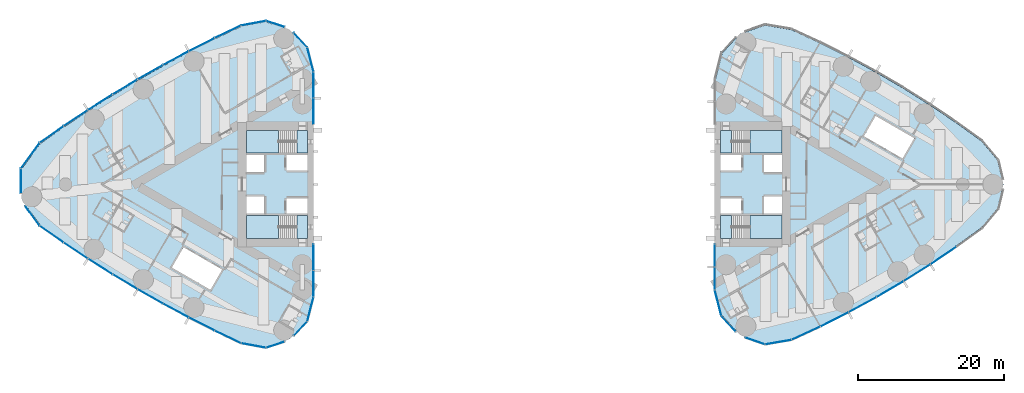
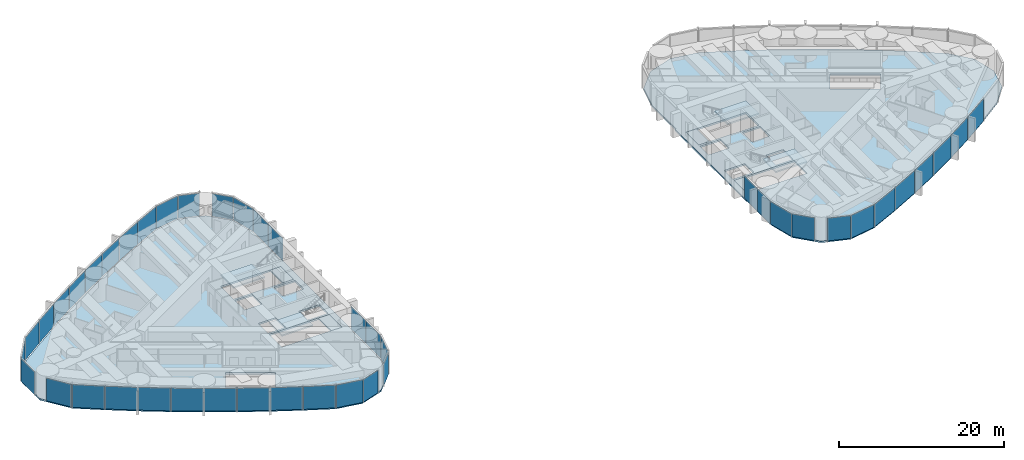
# One storey, part 10 of 18: 43 plates, 10 slabs, 10 elements without a shape of their own.
"""IFC4 building model written with IfcOpenShell, lengths in metres."""

from ifc_helpers import new_model, si_unit, direction, frame, origin, origin_2d, place, context, subcontext, project, spatial, polyline, rectangle, outline, extrude, material, layer, layer_set, type_object, element, aggregate, save


model = new_model("IFC4")

# Units and contexts
model_context = context("Model", 3, precision=1e-05, world=origin(), true_north=direction((0.0, 1.0)))
body_context = subcontext(model_context, "Body", "Model", "MODEL_VIEW")
ifc_project = project(units=[si_unit("LENGTHUNIT", "METRE"), si_unit("AREAUNIT", "SQUARE_METRE"), si_unit("VOLUMEUNIT", "CUBIC_METRE"), si_unit("PLANEANGLEUNIT", "RADIAN"), si_unit("MASSUNIT", "GRAM", prefix="KILO")], contexts=[model_context])

# Site, building, storey
site_placement = place(None, origin())
site = spatial("IfcSite", under=ifc_project, at=site_placement, CompositionType="ELEMENT")
building_placement = place(site_placement, origin())
building = spatial("IfcBuilding", under=site, at=building_placement, Name="Lancet Gate Hotel", CompositionType="ELEMENT")
storey_placement = place(building_placement, frame((0.0, 0.0, 166.800048828125)))
storey = spatial("IfcBuildingStorey", under=building, at=storey_placement, Name="L44", CompositionType="ELEMENT", Elevation=166.800048828125)

# Slabs
ifc_material_1 = material(Name="Concrete C50/60", Category="concrete")
ifc_layer_1 = layer(ifc_material_1, 0.25)
ifc_layer_set_1 = layer_set([ifc_layer_1], Name="Floor slab 250")
slab_type_1 = type_object("IfcSlabType", Name="Floor slab 250", PredefinedType="FLOOR", material=ifc_layer_set_1)
slab_1_placement = place(storey_placement, frame((0.0, 0.0, -0.25)))
element("IfcSlab", 1, at=slab_1_placement, inside=storey, type_object=slab_type_1, Name="T1 L44 floor slab", PredefinedType="FLOOR", context=body_context, shape_type="SweptSolid", body=[
    extrude(outline(polyline([(-27.5, 8.60009765625), (-27.6201171875, 8.60009765625), (-27.6201171875, 15.408203125), (-28.46923828125, 18.7265625), (-30.797607421875, 21.217529296875), (-34.0361328125, 22.283935546875), (-37.403564453125, 21.660400390625), (-40.996826171875, 19.9453125), (-44.561767578125, 18.139404296875), (-48.0830078125, 16.250244140625), (-51.558837890625, 14.27880859375), (-54.987548828125, 12.22607421875), (-58.366943359375, 10.09326171875), (-61.695068359375, 7.881591796875), (-64.955322265625, 5.602783203125), (-67.49560546875, 2.138427734375), (-67.49560546875, -2.138427734375), (-64.955322265625, -5.602783203125), (-61.695068359375, -7.881591796875), (-58.366943359375, -10.09326171875), (-54.987548828125, -12.22607421875), (-51.558837890625, -14.27880859375), (-48.0830078125, -16.250244140625), (-44.561767578125, -18.139404296875), (-40.996826171875, -19.9453125), (-37.403564453125, -21.660400390625), (-34.0361328125, -22.283935546875), (-30.797607421875, -21.217529296875), (-28.46923828125, -18.7265625), (-27.6201171875, -15.408203125), (-27.6201171875, -8.60009765625), (-27.5, -8.60009765625), (-27.5, -8.199951171875), (-27.5, 8.199951171875), (-27.5, 8.60009765625)]), holes=[polyline([(-36.699951171875, 7.39990234375), (-36.699951171875, 4.300048828125), (-28.300048828125, 4.300048828125), (-28.300048828125, 7.39990234375), (-36.699951171875, 7.39990234375)]), polyline([(-28.300048828125, 4.0), (-31.199951171875, 4.0), (-31.199951171875, 1.89990234375), (-28.300048828125, 1.89990234375), (-28.300048828125, 4.0)]), polyline([(-34.25, 4.0), (-36.699951171875, 4.0), (-36.699951171875, 1.64990234375), (-34.25, 1.64990234375), (-34.25, 4.0)]), polyline([(-36.699951171875, -1.64990234375), (-36.699951171875, -4.0), (-34.25, -4.0), (-34.25, -1.64990234375), (-36.699951171875, -1.64990234375)]), polyline([(-28.300048828125, -1.89990234375), (-31.199951171875, -1.89990234375), (-31.199951171875, -4.0), (-28.300048828125, -4.0), (-28.300048828125, -1.89990234375)]), polyline([(-28.300048828125, -4.300048828125), (-36.699951171875, -4.300048828125), (-36.699951171875, -7.39990234375), (-28.300048828125, -7.39990234375), (-28.300048828125, -4.300048828125)]), polyline([(-45.319091796875, -8.631103515625), (-46.9189453125, -11.402099609375), (-41.635986328125, -14.451904296875), (-40.035888671875, -11.680908203125), (-45.319091796875, -8.631103515625)])]), origin(), (0.0, 0.0, 1.0), 0.25),
])
slab_2_placement = place(storey_placement, frame((0.0, 0.0, -0.25)))
element("IfcSlab", 2, at=slab_2_placement, inside=storey, type_object=slab_type_1, Name="T2 L44 floor slab", PredefinedType="FLOOR", context=body_context, shape_type="SweptSolid", body=[
    extrude(outline(polyline([(27.5, -8.60009765625), (27.6201171875, -8.60009765625), (27.6201171875, -14.450439453125), (28.517822265625, -17.9853515625), (30.98291015625, -20.65185546875), (34.421875, -21.819091796875), (38.01513671875, -21.201171875), (41.9296875, -19.383056640625), (45.796875, -17.435302734375), (49.6005859375, -15.36572265625), (53.336669921875, -13.1767578125), (57.00146484375, -10.87060546875), (60.591552734375, -8.44921875), (64.092041015625, -5.9228515625), (66.283447265625, -3.307373046875), (67.06640625, 0.0), (66.283447265625, 3.307373046875), (64.092041015625, 5.9228515625), (60.591552734375, 8.44921875), (57.00146484375, 10.87060546875), (53.336669921875, 13.1767578125), (49.6005859375, 15.36572265625), (45.796875, 17.435302734375), (41.9296875, 19.383056640625), (38.01513671875, 21.201171875), (34.421875, 21.819091796875), (30.98291015625, 20.65185546875), (28.517822265625, 17.9853515625), (27.6201171875, 14.450439453125), (27.6201171875, 8.60009765625), (27.5, 8.60009765625), (27.5, 8.199951171875), (27.5, -8.199951171875), (27.5, -8.60009765625)]), holes=[polyline([(36.699951171875, -7.39990234375), (36.699951171875, -4.300048828125), (28.300048828125, -4.300048828125), (28.300048828125, -7.39990234375), (36.699951171875, -7.39990234375)]), polyline([(28.300048828125, -4.0), (31.199951171875, -4.0), (31.199951171875, -1.89990234375), (28.300048828125, -1.89990234375), (28.300048828125, -4.0)]), polyline([(34.25, -4.0), (36.699951171875, -4.0), (36.699951171875, -1.64990234375), (34.25, -1.64990234375), (34.25, -4.0)]), polyline([(36.699951171875, 1.64990234375), (36.699951171875, 4.0), (34.25, 4.0), (34.25, 1.64990234375), (36.699951171875, 1.64990234375)]), polyline([(28.300048828125, 1.89990234375), (31.199951171875, 1.89990234375), (31.199951171875, 4.0), (28.300048828125, 4.0), (28.300048828125, 1.89990234375)]), polyline([(28.300048828125, 4.300048828125), (36.699951171875, 4.300048828125), (36.699951171875, 7.39990234375), (28.300048828125, 7.39990234375), (28.300048828125, 4.300048828125)]), polyline([(53.242919921875, 3.555908203125), (54.843017578125, 6.326904296875), (49.56103515625, 9.376953125), (47.9609375, 6.60595703125), (53.242919921875, 3.555908203125)])]), origin(), (0.0, 0.0, 1.0), 0.25),
])

# Stair, slabs
ifc_material_2 = material(Name="Exit stair 20 risers 1500")
stair_type = type_object("IfcStairType", Name="Exit stair 20 risers 1500", PredefinedType="HALF_TURN_STAIR", material=ifc_material_2)
stair_1_placement = place(storey_placement, origin())
stair_1 = element("IfcStair", 3, at=stair_1_placement, inside=storey, type_object=stair_type, Name="T1 stair 1 L44", PredefinedType="HALF_TURN_STAIR")
ifc_material_3 = material(Name="Concrete C40/50", Category="concrete")
ifc_layer_2 = layer(ifc_material_3, 0.199951171875)
ifc_layer_set_2 = layer_set([ifc_layer_2], Name="Stair landing 200")
slab_type_2 = type_object("IfcSlabType", Name="Stair landing 200", PredefinedType="LANDING", material=ifc_layer_set_2)
slab_3_placement = place(storey_placement, frame((0.0, 0.0, -0.199951171875)))
slab_3 = element("IfcSlab", 4, at=slab_3_placement, type_object=slab_type_2, Name="ST1 landing 1", PredefinedType="LANDING", context=body_context, shape_type="SweptSolid", body=[
    extrude(outline(polyline([(-28.300048828125, 7.39990234375), (-29.800048828125, 7.39990234375), (-29.800048828125, 4.300048828125), (-28.300048828125, 4.300048828125), (-28.300048828125, 7.39990234375)])), origin(), (0.0, 0.0, 1.0), 0.199951171875),
])
slab_4_placement = place(storey_placement, frame((0.0, 0.0, 1.550048828125)))
slab_4 = element("IfcSlab", 5, at=slab_4_placement, type_object=slab_type_2, Name="ST1 landing 2", PredefinedType="LANDING", context=body_context, shape_type="SweptSolid", body=[
    extrude(outline(polyline([(-32.320068359375, 7.39990234375), (-36.699951171875, 7.39990234375), (-36.699951171875, 4.300048828125), (-32.320068359375, 4.300048828125), (-32.320068359375, 7.39990234375)])), origin(), (0.0, 0.0, 1.0), 0.199951171875),
])
aggregate(stair_1, [slab_3, slab_4])

stair_2_placement = place(storey_placement, origin())
stair_2 = element("IfcStair", 6, at=stair_2_placement, inside=storey, type_object=stair_type, Name="T1 stair 2 L44", PredefinedType="HALF_TURN_STAIR")
slab_5_placement = place(storey_placement, frame((0.0, 0.0, -0.199951171875)))
slab_5 = element("IfcSlab", 7, at=slab_5_placement, type_object=slab_type_2, Name="ST2 landing 1", PredefinedType="LANDING", context=body_context, shape_type="SweptSolid", body=[
    extrude(outline(polyline([(-28.300048828125, -4.300048828125), (-29.800048828125, -4.300048828125), (-29.800048828125, -7.39990234375), (-28.300048828125, -7.39990234375), (-28.300048828125, -4.300048828125)])), origin(), (0.0, 0.0, 1.0), 0.199951171875),
])
slab_6_placement = place(storey_placement, frame((0.0, 0.0, 1.550048828125)))
slab_6 = element("IfcSlab", 8, at=slab_6_placement, type_object=slab_type_2, Name="ST2 landing 2", PredefinedType="LANDING", context=body_context, shape_type="SweptSolid", body=[
    extrude(outline(polyline([(-32.320068359375, -4.300048828125), (-36.699951171875, -4.300048828125), (-36.699951171875, -7.39990234375), (-32.320068359375, -7.39990234375), (-32.320068359375, -4.300048828125)])), origin(), (0.0, 0.0, 1.0), 0.199951171875),
])
aggregate(stair_2, [slab_5, slab_6])

stair_3_placement = place(storey_placement, origin())
stair_3 = element("IfcStair", 9, at=stair_3_placement, inside=storey, type_object=stair_type, Name="T2 stair 1 L44", PredefinedType="HALF_TURN_STAIR")
slab_7_placement = place(storey_placement, frame((0.0, 0.0, -0.199951171875)))
slab_7 = element("IfcSlab", 10, at=slab_7_placement, type_object=slab_type_2, Name="ST3 landing 1", PredefinedType="LANDING", context=body_context, shape_type="SweptSolid", body=[
    extrude(outline(polyline([(28.300048828125, -7.39990234375), (29.800048828125, -7.39990234375), (29.800048828125, -4.300048828125), (28.300048828125, -4.300048828125), (28.300048828125, -7.39990234375)])), origin(), (0.0, 0.0, 1.0), 0.199951171875),
])
slab_8_placement = place(storey_placement, frame((0.0, 0.0, 1.550048828125)))
slab_8 = element("IfcSlab", 11, at=slab_8_placement, type_object=slab_type_2, Name="ST3 landing 2", PredefinedType="LANDING", context=body_context, shape_type="SweptSolid", body=[
    extrude(outline(polyline([(32.320068359375, -7.39990234375), (36.699951171875, -7.39990234375), (36.699951171875, -4.300048828125), (32.320068359375, -4.300048828125), (32.320068359375, -7.39990234375)])), origin(), (0.0, 0.0, 1.0), 0.199951171875),
])
aggregate(stair_3, [slab_7, slab_8])

stair_4_placement = place(storey_placement, origin())
stair_4 = element("IfcStair", 12, at=stair_4_placement, inside=storey, type_object=stair_type, Name="T2 stair 2 L44", PredefinedType="HALF_TURN_STAIR")
slab_9_placement = place(storey_placement, frame((0.0, 0.0, -0.199951171875)))
slab_9 = element("IfcSlab", 13, at=slab_9_placement, type_object=slab_type_2, Name="ST4 landing 1", PredefinedType="LANDING", context=body_context, shape_type="SweptSolid", body=[
    extrude(outline(polyline([(28.300048828125, 4.300048828125), (29.800048828125, 4.300048828125), (29.800048828125, 7.39990234375), (28.300048828125, 7.39990234375), (28.300048828125, 4.300048828125)])), origin(), (0.0, 0.0, 1.0), 0.199951171875),
])
slab_10_placement = place(storey_placement, frame((0.0, 0.0, 1.550048828125)))
slab_10 = element("IfcSlab", 14, at=slab_10_placement, type_object=slab_type_2, Name="ST4 landing 2", PredefinedType="LANDING", context=body_context, shape_type="SweptSolid", body=[
    extrude(outline(polyline([(32.320068359375, 4.300048828125), (36.699951171875, 4.300048828125), (36.699951171875, 7.39990234375), (32.320068359375, 7.39990234375), (32.320068359375, 4.300048828125)])), origin(), (0.0, 0.0, 1.0), 0.199951171875),
])
aggregate(stair_4, [slab_9, slab_10])

# Curtain wall, plates
ifc_material_4 = material(Name="Aluminium curtain wall", Category="aluminium")
curtain_wall_type = type_object("IfcCurtainWallType", Name="Tower unitised curtain wall", PredefinedType="USERDEFINED", material=ifc_material_4)
curtain_wall_1_placement = place(storey_placement, origin())
curtain_wall_1 = element("IfcCurtainWall", 15, at=curtain_wall_1_placement, inside=storey, type_object=curtain_wall_type, Name="T1 L44 curtain wall 1", ObjectType="UNITISED CURTAIN WALL", PredefinedType="USERDEFINED")
ifc_material_5 = material(Name="Glass double glazed unit 8-16-6", Category="glass")
ifc_layer_3 = layer(ifc_material_5, 0.030029296875)
ifc_layer_set_3 = layer_set([ifc_layer_3], Name="Vision panel double glazed")
plate_type = type_object("IfcPlateType", Name="Vision panel double glazed", PredefinedType="CURTAIN_PANEL", material=ifc_layer_set_3)
plate_1_placement = place(storey_placement, frame((-27.5, 10.005859375, 0.0), z_axis=(0.0, 0.0, 1.0), x_axis=(0.0, 1.0, 0.0)))
plate_1 = element("IfcPlate", 16, at=plate_1_placement, type_object=plate_type, Name="T1 L44 curtain wall 1 panel 1", PredefinedType="CURTAIN_PANEL", context=body_context, shape_type="SweptSolid", body=[
    extrude(rectangle(XDim=3.546630859375, YDim=0.030029296875, at=origin_2d()), origin(), (0.0, 0.0, 1.0), 3.35009765625),
])
plate_2_placement = place(storey_placement, frame((-27.5, 13.617431640625, 0.0), z_axis=(0.0, 0.0, 1.0), x_axis=(0.0, 1.0, 0.0)))
plate_2 = element("IfcPlate", 17, at=plate_2_placement, type_object=plate_type, Name="T1 L44 curtain wall 1 panel 2", PredefinedType="CURTAIN_PANEL", context=body_context, shape_type="SweptSolid", body=[
    extrude(rectangle(XDim=3.546630859375, YDim=0.030029296875, at=origin_2d()), origin(), (0.0, 0.0, 1.0), 3.35009765625),
])
plate_3_placement = place(storey_placement, frame((-27.930419921875, 17.104736328125, 0.0), z_axis=(0.0, 0.0, 1.0), x_axis=(-0.247936754654, 0.968776220647, 0.0)))
plate_3 = element("IfcPlate", 18, at=plate_3_placement, type_object=plate_type, Name="T1 L44 curtain wall 1 panel 3", PredefinedType="CURTAIN_PANEL", context=body_context, shape_type="SweptSolid", body=[
    extrude(rectangle(XDim=3.406005859375, YDim=0.030029296875, at=origin_2d()), origin(), (0.0, 0.0, 1.0), 3.35009765625),
])
plate_4_placement = place(storey_placement, frame((-29.28564453125, 19.77587890625, 0.0), z_axis=(0.0, 0.0, 1.0), x_axis=(-0.682844962172, 0.730563315282, 0.0)))
plate_4 = element("IfcPlate", 19, at=plate_4_placement, type_object=plate_type, Name="T1 L44 curtain wall 1 panel 4", PredefinedType="CURTAIN_PANEL", context=body_context, shape_type="SweptSolid", body=[
    extrude(rectangle(XDim=2.64453125, YDim=0.030029296875, at=origin_2d()), origin(), (0.0, 0.0, 1.0), 3.35009765625),
])
aggregate(curtain_wall_1, [plate_1, plate_2, plate_3, plate_4])

curtain_wall_2_placement = place(storey_placement, origin())
curtain_wall_2 = element("IfcCurtainWall", 20, at=curtain_wall_2_placement, inside=storey, type_object=curtain_wall_type, Name="T1 L44 curtain wall 2", ObjectType="UNITISED CURTAIN WALL", PredefinedType="USERDEFINED")
plate_5_placement = place(storey_placement, frame((-32.740234375, 21.983642578125, 0.0), z_axis=(0.0, 0.0, 1.0), x_axis=(-0.949848055084, 0.312711803827, 0.0)))
plate_5 = element("IfcPlate", 21, at=plate_5_placement, type_object=plate_type, Name="T1 L44 curtain wall 2 panel 1", PredefinedType="CURTAIN_PANEL", context=body_context, shape_type="SweptSolid", body=[
    extrude(rectangle(XDim=2.64599609375, YDim=0.030029296875, at=origin_2d()), origin(), (0.0, 0.0, 1.0), 3.35009765625),
])
plate_6_placement = place(storey_placement, frame((-35.734375, 22.091552734375, 0.0), z_axis=(0.0, 0.0, 1.0), x_axis=(-0.983292499426, -0.182032581075, 0.0)))
plate_6 = element("IfcPlate", 22, at=plate_6_placement, type_object=plate_type, Name="T1 L44 curtain wall 2 panel 2", PredefinedType="CURTAIN_PANEL", context=body_context, shape_type="SweptSolid", body=[
    extrude(rectangle(XDim=3.406005859375, YDim=0.030029296875, at=origin_2d()), origin(), (0.0, 0.0, 1.0), 3.35009765625),
])
plate_7_placement = place(storey_placement, frame((-39.245361328125, 20.914306640625, 0.0), z_axis=(0.0, 0.0, 1.0), x_axis=(-0.902453530018, -0.430787216799, 0.0)))
plate_7 = element("IfcPlate", 23, at=plate_7_placement, type_object=plate_type, Name="T1 L44 curtain wall 2 panel 3", PredefinedType="CURTAIN_PANEL", context=body_context, shape_type="SweptSolid", body=[
    extrude(rectangle(XDim=3.933837890625, YDim=0.030029296875, at=origin_2d()), origin(), (0.0, 0.0, 1.0), 3.35009765625),
])
plate_8_placement = place(storey_placement, frame((-42.83349609375, 19.1494140625, 0.0), z_axis=(0.0, 0.0, 1.0), x_axis=(-0.892071119911, -0.451895028762, 0.0)))
plate_8 = element("IfcPlate", 24, at=plate_8_placement, type_object=plate_type, Name="T1 L44 curtain wall 2 panel 4", PredefinedType="CURTAIN_PANEL", context=body_context, shape_type="SweptSolid", body=[
    extrude(rectangle(XDim=3.933837890625, YDim=0.030029296875, at=origin_2d()), origin(), (0.0, 0.0, 1.0), 3.35009765625),
])
plate_9_placement = place(storey_placement, frame((-46.379150390625, 17.300537109375, 0.0), z_axis=(0.0, 0.0, 1.0), x_axis=(-0.881195096384, -0.472752791751, 0.0)))
plate_9 = element("IfcPlate", 25, at=plate_9_placement, type_object=plate_type, Name="T1 L44 curtain wall 2 panel 5", PredefinedType="CURTAIN_PANEL", context=body_context, shape_type="SweptSolid", body=[
    extrude(rectangle(XDim=3.933837890625, YDim=0.030029296875, at=origin_2d()), origin(), (0.0, 0.0, 1.0), 3.35009765625),
])
plate_10_placement = place(storey_placement, frame((-49.880126953125, 15.368896484375, 0.0), z_axis=(0.0, 0.0, 1.0), x_axis=(-0.869831477496, -0.493348964484, 0.0)))
plate_10 = element("IfcPlate", 26, at=plate_10_placement, type_object=plate_type, Name="T1 L44 curtain wall 2 panel 6", PredefinedType="CURTAIN_PANEL", context=body_context, shape_type="SweptSolid", body=[
    extrude(rectangle(XDim=3.933837890625, YDim=0.030029296875, at=origin_2d()), origin(), (0.0, 0.0, 1.0), 3.35009765625),
])
plate_11_placement = place(storey_placement, frame((-53.3349609375, 13.35546875, 0.0), z_axis=(0.0, 0.0, 1.0), x_axis=(-0.857986551132, -0.51367215038, 0.0)))
plate_11 = element("IfcPlate", 27, at=plate_11_placement, type_object=plate_type, Name="T1 L44 curtain wall 2 panel 7", PredefinedType="CURTAIN_PANEL", context=body_context, shape_type="SweptSolid", body=[
    extrude(rectangle(XDim=3.933837890625, YDim=0.030029296875, at=origin_2d()), origin(), (0.0, 0.0, 1.0), 3.35009765625),
])
plate_12_placement = place(storey_placement, frame((-56.7412109375, 11.26123046875, 0.0), z_axis=(0.0, 0.0, 1.0), x_axis=(-0.845666871497, -0.533711103925, 0.0)))
plate_12 = element("IfcPlate", 28, at=plate_12_placement, type_object=plate_type, Name="T1 L44 curtain wall 2 panel 8", PredefinedType="CURTAIN_PANEL", context=body_context, shape_type="SweptSolid", body=[
    extrude(rectangle(XDim=3.933837890625, YDim=0.030029296875, at=origin_2d()), origin(), (0.0, 0.0, 1.0), 3.35009765625),
])
plate_13_placement = place(storey_placement, frame((-60.097412109375, 9.08740234375, 0.0), z_axis=(0.0, 0.0, 1.0), x_axis=(-0.832879255498, -0.553454736867, 0.0)))
plate_13 = element("IfcPlate", 29, at=plate_13_placement, type_object=plate_type, Name="T1 L44 curtain wall 2 panel 9", PredefinedType="CURTAIN_PANEL", context=body_context, shape_type="SweptSolid", body=[
    extrude(rectangle(XDim=3.933837890625, YDim=0.030029296875, at=origin_2d()), origin(), (0.0, 0.0, 1.0), 3.35009765625),
])
plate_14_placement = place(storey_placement, frame((-63.401611328125, 6.835205078125, 0.0), z_axis=(0.0, 0.0, 1.0), x_axis=(-0.819630778943, -0.572892124409, 0.0)))
plate_14 = element("IfcPlate", 30, at=plate_14_placement, type_object=plate_type, Name="T1 L44 curtain wall 2 panel 10", PredefinedType="CURTAIN_PANEL", context=body_context, shape_type="SweptSolid", body=[
    extrude(rectangle(XDim=3.933837890625, YDim=0.030029296875, at=origin_2d()), origin(), (0.0, 0.0, 1.0), 3.35009765625),
])
plate_15_placement = place(storey_placement, frame((-66.328125, 3.933837890625, 0.0), z_axis=(0.0, 0.0, 1.0), x_axis=(-0.591299785592, -0.806451835858, 0.0)))
plate_15 = element("IfcPlate", 31, at=plate_15_placement, type_object=plate_type, Name="T1 L44 curtain wall 2 panel 11", PredefinedType="CURTAIN_PANEL", context=body_context, shape_type="SweptSolid", body=[
    extrude(rectangle(XDim=4.290283203125, YDim=0.030029296875, at=origin_2d()), origin(), (0.0, 0.0, 1.0), 3.35009765625),
])
plate_16_placement = place(storey_placement, frame((-67.61572265625, 0.478515625, 0.0), z_axis=(0.0, 0.0, 1.0), x_axis=(0.0, -1.0, 0.0)))
plate_16 = element("IfcPlate", 32, at=plate_16_placement, type_object=plate_type, Name="T1 L44 curtain wall 2 panel 12", PredefinedType="CURTAIN_PANEL", context=body_context, shape_type="SweptSolid", body=[
    extrude(rectangle(XDim=3.333251953125, YDim=0.030029296875, at=origin_2d()), origin(), (0.0, 0.0, 1.0), 3.35009765625),
])
aggregate(curtain_wall_2, [plate_5, plate_6, plate_7, plate_8, plate_9, plate_10, plate_11, plate_12, plate_13, plate_14, plate_15, plate_16])

curtain_wall_3_placement = place(storey_placement, origin())
curtain_wall_3 = element("IfcCurtainWall", 33, at=curtain_wall_3_placement, inside=storey, type_object=curtain_wall_type, Name="T1 L44 curtain wall 3", ObjectType="UNITISED CURTAIN WALL", PredefinedType="USERDEFINED")
plate_17_placement = place(storey_placement, frame((-66.04541015625, -4.3193359375, 0.0), z_axis=(0.0, 0.0, 1.0), x_axis=(0.591299785592, -0.806451835858, 0.0)))
plate_17 = element("IfcPlate", 34, at=plate_17_placement, type_object=plate_type, Name="T1 L44 curtain wall 3 panel 1", PredefinedType="CURTAIN_PANEL", context=body_context, shape_type="SweptSolid", body=[
    extrude(rectangle(XDim=3.334228515625, YDim=0.030029296875, at=origin_2d()), origin(), (0.0, 0.0, 1.0), 3.35009765625),
])
plate_18_placement = place(storey_placement, frame((-63.401611328125, -6.835205078125, 0.0), z_axis=(0.0, 0.0, 1.0), x_axis=(0.819630778943, -0.572892124409, 0.0)))
plate_18 = element("IfcPlate", 35, at=plate_18_placement, type_object=plate_type, Name="T1 L44 curtain wall 3 panel 2", PredefinedType="CURTAIN_PANEL", context=body_context, shape_type="SweptSolid", body=[
    extrude(rectangle(XDim=3.933837890625, YDim=0.030029296875, at=origin_2d()), origin(), (0.0, 0.0, 1.0), 3.35009765625),
])
plate_19_placement = place(storey_placement, frame((-60.097412109375, -9.08740234375, 0.0), z_axis=(0.0, 0.0, 1.0), x_axis=(0.832879255498, -0.553454736867, 0.0)))
plate_19 = element("IfcPlate", 36, at=plate_19_placement, type_object=plate_type, Name="T1 L44 curtain wall 3 panel 3", PredefinedType="CURTAIN_PANEL", context=body_context, shape_type="SweptSolid", body=[
    extrude(rectangle(XDim=3.933837890625, YDim=0.030029296875, at=origin_2d()), origin(), (0.0, 0.0, 1.0), 3.35009765625),
])
plate_20_placement = place(storey_placement, frame((-56.7412109375, -11.26123046875, 0.0), z_axis=(0.0, 0.0, 1.0), x_axis=(0.845666871497, -0.533711103925, 0.0)))
plate_20 = element("IfcPlate", 37, at=plate_20_placement, type_object=plate_type, Name="T1 L44 curtain wall 3 panel 4", PredefinedType="CURTAIN_PANEL", context=body_context, shape_type="SweptSolid", body=[
    extrude(rectangle(XDim=3.933837890625, YDim=0.030029296875, at=origin_2d()), origin(), (0.0, 0.0, 1.0), 3.35009765625),
])
plate_21_placement = place(storey_placement, frame((-53.3349609375, -13.35546875, 0.0), z_axis=(0.0, 0.0, 1.0), x_axis=(0.857986551132, -0.51367215038, 0.0)))
plate_21 = element("IfcPlate", 38, at=plate_21_placement, type_object=plate_type, Name="T1 L44 curtain wall 3 panel 5", PredefinedType="CURTAIN_PANEL", context=body_context, shape_type="SweptSolid", body=[
    extrude(rectangle(XDim=3.933837890625, YDim=0.030029296875, at=origin_2d()), origin(), (0.0, 0.0, 1.0), 3.35009765625),
])
plate_22_placement = place(storey_placement, frame((-49.880126953125, -15.368896484375, 0.0), z_axis=(0.0, 0.0, 1.0), x_axis=(0.869831477496, -0.493348964484, 0.0)))
plate_22 = element("IfcPlate", 39, at=plate_22_placement, type_object=plate_type, Name="T1 L44 curtain wall 3 panel 6", PredefinedType="CURTAIN_PANEL", context=body_context, shape_type="SweptSolid", body=[
    extrude(rectangle(XDim=3.933837890625, YDim=0.030029296875, at=origin_2d()), origin(), (0.0, 0.0, 1.0), 3.35009765625),
])
plate_23_placement = place(storey_placement, frame((-46.379150390625, -17.300537109375, 0.0), z_axis=(0.0, 0.0, 1.0), x_axis=(0.881195096384, -0.472752791751, 0.0)))
plate_23 = element("IfcPlate", 40, at=plate_23_placement, type_object=plate_type, Name="T1 L44 curtain wall 3 panel 7", PredefinedType="CURTAIN_PANEL", context=body_context, shape_type="SweptSolid", body=[
    extrude(rectangle(XDim=3.933837890625, YDim=0.030029296875, at=origin_2d()), origin(), (0.0, 0.0, 1.0), 3.35009765625),
])
plate_24_placement = place(storey_placement, frame((-42.83349609375, -19.1494140625, 0.0), z_axis=(0.0, 0.0, 1.0), x_axis=(0.892071119911, -0.451895028762, 0.0)))
plate_24 = element("IfcPlate", 41, at=plate_24_placement, type_object=plate_type, Name="T1 L44 curtain wall 3 panel 8", PredefinedType="CURTAIN_PANEL", context=body_context, shape_type="SweptSolid", body=[
    extrude(rectangle(XDim=3.933837890625, YDim=0.030029296875, at=origin_2d()), origin(), (0.0, 0.0, 1.0), 3.35009765625),
])
plate_25_placement = place(storey_placement, frame((-39.245361328125, -20.914306640625, 0.0), z_axis=(0.0, 0.0, 1.0), x_axis=(0.902453530018, -0.430787216799, 0.0)))
plate_25 = element("IfcPlate", 42, at=plate_25_placement, type_object=plate_type, Name="T1 L44 curtain wall 3 panel 9", PredefinedType="CURTAIN_PANEL", context=body_context, shape_type="SweptSolid", body=[
    extrude(rectangle(XDim=3.933837890625, YDim=0.030029296875, at=origin_2d()), origin(), (0.0, 0.0, 1.0), 3.35009765625),
])
plate_26_placement = place(storey_placement, frame((-35.734375, -22.091552734375, 0.0), z_axis=(0.0, 0.0, 1.0), x_axis=(0.983292499426, -0.182032581075, 0.0)))
plate_26 = element("IfcPlate", 43, at=plate_26_placement, type_object=plate_type, Name="T1 L44 curtain wall 3 panel 10", PredefinedType="CURTAIN_PANEL", context=body_context, shape_type="SweptSolid", body=[
    extrude(rectangle(XDim=3.406005859375, YDim=0.030029296875, at=origin_2d()), origin(), (0.0, 0.0, 1.0), 3.35009765625),
])
plate_27_placement = place(storey_placement, frame((-32.740234375, -21.983642578125, 0.0), z_axis=(0.0, 0.0, 1.0), x_axis=(0.949848055084, 0.312711803827, 0.0)))
plate_27 = element("IfcPlate", 44, at=plate_27_placement, type_object=plate_type, Name="T1 L44 curtain wall 3 panel 11", PredefinedType="CURTAIN_PANEL", context=body_context, shape_type="SweptSolid", body=[
    extrude(rectangle(XDim=2.64599609375, YDim=0.030029296875, at=origin_2d()), origin(), (0.0, 0.0, 1.0), 3.35009765625),
])
aggregate(curtain_wall_3, [plate_17, plate_18, plate_19, plate_20, plate_21, plate_22, plate_23, plate_24, plate_25, plate_26, plate_27])

curtain_wall_4_placement = place(storey_placement, origin())
curtain_wall_4 = element("IfcCurtainWall", 45, at=curtain_wall_4_placement, inside=storey, type_object=curtain_wall_type, Name="T1 L44 curtain wall 4", ObjectType="UNITISED CURTAIN WALL", PredefinedType="USERDEFINED")
plate_28_placement = place(storey_placement, frame((-29.28564453125, -19.77587890625, 0.0), z_axis=(0.0, 0.0, 1.0), x_axis=(0.682844962172, 0.730563315282, 0.0)))
plate_28 = element("IfcPlate", 46, at=plate_28_placement, type_object=plate_type, Name="T1 L44 curtain wall 4 panel 1", PredefinedType="CURTAIN_PANEL", context=body_context, shape_type="SweptSolid", body=[
    extrude(rectangle(XDim=2.64453125, YDim=0.030029296875, at=origin_2d()), origin(), (0.0, 0.0, 1.0), 3.35009765625),
])
plate_29_placement = place(storey_placement, frame((-27.930419921875, -17.104736328125, 0.0), z_axis=(0.0, 0.0, 1.0), x_axis=(0.247936754654, 0.968776220647, 0.0)))
plate_29 = element("IfcPlate", 47, at=plate_29_placement, type_object=plate_type, Name="T1 L44 curtain wall 4 panel 2", PredefinedType="CURTAIN_PANEL", context=body_context, shape_type="SweptSolid", body=[
    extrude(rectangle(XDim=3.406005859375, YDim=0.030029296875, at=origin_2d()), origin(), (0.0, 0.0, 1.0), 3.35009765625),
])
plate_30_placement = place(storey_placement, frame((-27.5, -13.617431640625, 0.0), z_axis=(0.0, 0.0, 1.0), x_axis=(0.0, 1.0, 0.0)))
plate_30 = element("IfcPlate", 48, at=plate_30_placement, type_object=plate_type, Name="T1 L44 curtain wall 4 panel 3", PredefinedType="CURTAIN_PANEL", context=body_context, shape_type="SweptSolid", body=[
    extrude(rectangle(XDim=3.546630859375, YDim=0.030029296875, at=origin_2d()), origin(), (0.0, 0.0, 1.0), 3.35009765625),
])
plate_31_placement = place(storey_placement, frame((-27.5, -10.005859375, 0.0), z_axis=(0.0, 0.0, 1.0), x_axis=(0.0, 1.0, 0.0)))
plate_31 = element("IfcPlate", 49, at=plate_31_placement, type_object=plate_type, Name="T1 L44 curtain wall 4 panel 4", PredefinedType="CURTAIN_PANEL", context=body_context, shape_type="SweptSolid", body=[
    extrude(rectangle(XDim=3.546630859375, YDim=0.030029296875, at=origin_2d()), origin(), (0.0, 0.0, 1.0), 3.35009765625),
])
aggregate(curtain_wall_4, [plate_28, plate_29, plate_30, plate_31])

curtain_wall_5_placement = place(storey_placement, origin())
curtain_wall_5 = element("IfcCurtainWall", 50, at=curtain_wall_5_placement, inside=storey, type_object=curtain_wall_type, Name="T2 L44 curtain wall 1", ObjectType="UNITISED CURTAIN WALL", PredefinedType="USERDEFINED")
plate_32_placement = place(storey_placement, frame((27.5, -9.766357421875, 0.0), z_axis=(0.0, 0.0, 1.0), x_axis=(0.0, -1.0, 0.0)))
plate_32 = element("IfcPlate", 51, at=plate_32_placement, type_object=plate_type, Name="T2 L44 curtain wall 1 panel 1", PredefinedType="CURTAIN_PANEL", context=body_context, shape_type="SweptSolid", body=[
    extrude(rectangle(XDim=3.06787109375, YDim=0.030029296875, at=origin_2d()), origin(), (0.0, 0.0, 1.0), 3.35009765625),
])
plate_33_placement = place(storey_placement, frame((27.5, -12.899169921875, 0.0), z_axis=(0.0, 0.0, 1.0), x_axis=(0.0, -1.0, 0.0)))
plate_33 = element("IfcPlate", 52, at=plate_33_placement, type_object=plate_type, Name="T2 L44 curtain wall 1 panel 2", PredefinedType="CURTAIN_PANEL", context=body_context, shape_type="SweptSolid", body=[
    extrude(rectangle(XDim=3.06787109375, YDim=0.030029296875, at=origin_2d()), origin(), (0.0, 0.0, 1.0), 3.35009765625),
])
plate_34_placement = place(storey_placement, frame((27.95458984375, -16.2548828125, 0.0), z_axis=(0.0, 0.0, 1.0), x_axis=(0.246166705764, -0.969227503207, 0.0)))
plate_34 = element("IfcPlate", 53, at=plate_34_placement, type_object=plate_type, Name="T2 L44 curtain wall 1 panel 3", PredefinedType="CURTAIN_PANEL", context=body_context, shape_type="SweptSolid", body=[
    extrude(rectangle(XDim=3.62744140625, YDim=0.030029296875, at=origin_2d()), origin(), (0.0, 0.0, 1.0), 3.35009765625),
])
plate_35_placement = place(storey_placement, frame((29.4052734375, -19.122314453125, 0.0), z_axis=(0.0, 0.0, 1.0), x_axis=(0.67883123083, -0.734294327943, 0.0)))
plate_35 = element("IfcPlate", 54, at=plate_35_placement, type_object=plate_type, Name="T2 L44 curtain wall 1 panel 4", PredefinedType="CURTAIN_PANEL", context=body_context, shape_type="SweptSolid", body=[
    extrude(rectangle(XDim=2.87060546875, YDim=0.030029296875, at=origin_2d()), origin(), (0.0, 0.0, 1.0), 3.35009765625),
])
aggregate(curtain_wall_5, [plate_32, plate_33, plate_34, plate_35])

curtain_wall_6_placement = place(storey_placement, origin())
curtain_wall_6 = element("IfcCurtainWall", 55, at=curtain_wall_6_placement, inside=storey, type_object=curtain_wall_type, Name="T2 L44 curtain wall 2", ObjectType="UNITISED CURTAIN WALL", PredefinedType="USERDEFINED")
plate_36_placement = place(storey_placement, frame((33.02197265625, -21.470703125, 0.0), z_axis=(0.0, 0.0, 1.0), x_axis=(0.946952368511, -0.321373943827, 0.0)))
plate_36 = element("IfcPlate", 56, at=plate_36_placement, type_object=plate_type, Name="T2 L44 curtain wall 2 panel 1", PredefinedType="CURTAIN_PANEL", context=body_context, shape_type="SweptSolid", body=[
    extrude(rectangle(XDim=2.871337890625, YDim=0.030029296875, at=origin_2d()), origin(), (0.0, 0.0, 1.0), 3.35009765625),
])
plate_37_placement = place(storey_placement, frame((36.231689453125, -21.629638671875, 0.0), z_axis=(0.0, 0.0, 1.0), x_axis=(0.985539649572, 0.169444973729, 0.0)))
plate_37 = element("IfcPlate", 57, at=plate_37_placement, type_object=plate_type, Name="T2 L44 curtain wall 2 panel 2", PredefinedType="CURTAIN_PANEL", context=body_context, shape_type="SweptSolid", body=[
    extrude(rectangle(XDim=3.62744140625, YDim=0.030029296875, at=origin_2d()), origin(), (0.0, 0.0, 1.0), 3.35009765625),
])
plate_38_placement = place(storey_placement, frame((40.0166015625, -20.40380859375, 0.0), z_axis=(0.0, 0.0, 1.0), x_axis=(0.906934888522, 0.421270824982, 0.0)))
plate_38 = element("IfcPlate", 58, at=plate_38_placement, type_object=plate_type, Name="T2 L44 curtain wall 2 panel 3", PredefinedType="CURTAIN_PANEL", context=body_context, shape_type="SweptSolid", body=[
    extrude(rectangle(XDim=4.26904296875, YDim=0.030029296875, at=origin_2d()), origin(), (0.0, 0.0, 1.0), 3.35009765625),
])
plate_39_placement = place(storey_placement, frame((43.917236328125, -18.516357421875, 0.0), z_axis=(0.0, 0.0, 1.0), x_axis=(0.893121465596, 0.449815570752, 0.0)))
plate_39 = element("IfcPlate", 59, at=plate_39_placement, type_object=plate_type, Name="T2 L44 curtain wall 2 panel 4", PredefinedType="CURTAIN_PANEL", context=body_context, shape_type="SweptSolid", body=[
    extrude(rectangle(XDim=4.26904296875, YDim=0.030029296875, at=origin_2d()), origin(), (0.0, 0.0, 1.0), 3.35009765625),
])
plate_40_placement = place(storey_placement, frame((47.756103515625, -16.505859375, 0.0), z_axis=(0.0, 0.0, 1.0), x_axis=(0.878409907967, 0.477907976063, 0.0)))
plate_40 = element("IfcPlate", 60, at=plate_40_placement, type_object=plate_type, Name="T2 L44 curtain wall 2 panel 5", PredefinedType="CURTAIN_PANEL", context=body_context, shape_type="SweptSolid", body=[
    extrude(rectangle(XDim=4.26904296875, YDim=0.030029296875, at=origin_2d()), origin(), (0.0, 0.0, 1.0), 3.35009765625),
])
plate_41_placement = place(storey_placement, frame((51.529296875, -14.374755859375, 0.0), z_axis=(0.0, 0.0, 1.0), x_axis=(0.862815009772, 0.505519790822, 0.0)))
plate_41 = element("IfcPlate", 61, at=plate_41_placement, type_object=plate_type, Name="T2 L44 curtain wall 2 panel 6", PredefinedType="CURTAIN_PANEL", context=body_context, shape_type="SweptSolid", body=[
    extrude(rectangle(XDim=4.26904296875, YDim=0.030029296875, at=origin_2d()), origin(), (0.0, 0.0, 1.0), 3.35009765625),
])
plate_42_placement = place(storey_placement, frame((55.233154296875, -12.125244140625, 0.0), z_axis=(0.0, 0.0, 1.0), x_axis=(0.846352453444, 0.532623248225, 0.0)))
plate_42 = element("IfcPlate", 62, at=plate_42_placement, type_object=plate_type, Name="T2 L44 curtain wall 2 panel 7", PredefinedType="CURTAIN_PANEL", context=body_context, shape_type="SweptSolid", body=[
    extrude(rectangle(XDim=4.26904296875, YDim=0.030029296875, at=origin_2d()), origin(), (0.0, 0.0, 1.0), 3.35009765625),
])
plate_43_placement = place(storey_placement, frame((58.863525390625, -9.75927734375, 0.0), z_axis=(0.0, 0.0, 1.0), x_axis=(0.829038793948, 0.559191092677, 0.0)))
plate_43 = element("IfcPlate", 63, at=plate_43_placement, type_object=plate_type, Name="T2 L44 curtain wall 2 panel 8", PredefinedType="CURTAIN_PANEL", context=body_context, shape_type="SweptSolid", body=[
    extrude(rectangle(XDim=4.26904296875, YDim=0.030029296875, at=origin_2d()), origin(), (0.0, 0.0, 1.0), 3.35009765625),
])
aggregate(curtain_wall_6, [plate_36, plate_37, plate_38, plate_39, plate_40, plate_41, plate_42, plate_43])

save(model, "model.ifc")
